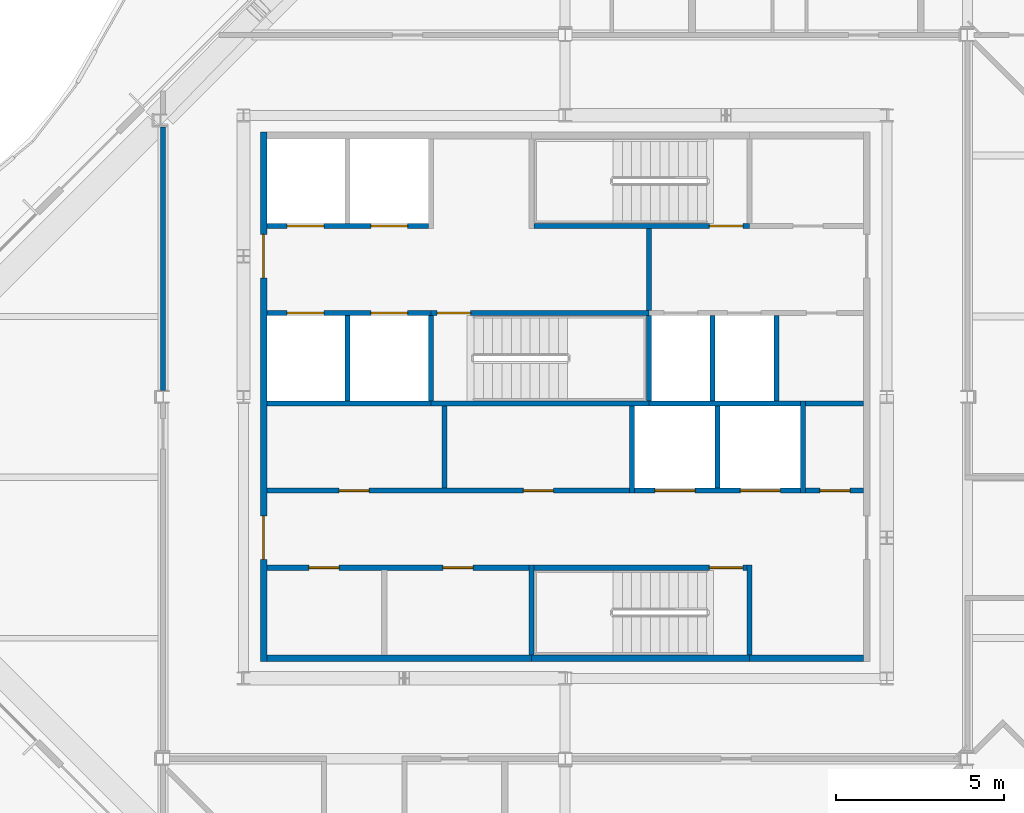
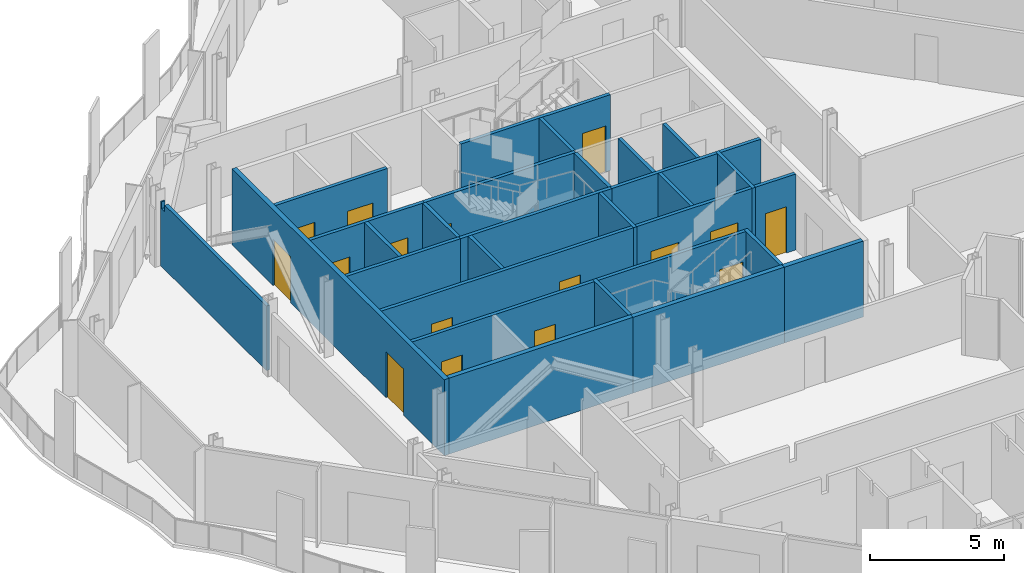
# One storey, part 8 of 17: 30 walls, 16 doors, 16 openings.
"""IFC4 building model written with IfcOpenShell, lengths in metres."""

from ifc_helpers import new_model, si_unit, direction, frame, frame_2d, origin, place, context, subcontext, project, spatial, polyline, rectangle, outline, extrude, material, layer, layer_set, type_object, element, fill, save


model = new_model("IFC4")

# Units and contexts
model_context = context("Model", 3, precision=1e-05, world=origin(), true_north=direction((0.0, 1.0)))
body_context = subcontext(model_context, "Body", "Model", "MODEL_VIEW")
ifc_project = project(units=[si_unit("LENGTHUNIT", "METRE"), si_unit("AREAUNIT", "SQUARE_METRE"), si_unit("VOLUMEUNIT", "CUBIC_METRE"), si_unit("PLANEANGLEUNIT", "RADIAN"), si_unit("MASSUNIT", "GRAM", prefix="KILO")], contexts=[model_context])

# Site, building, storey
site_placement = place(None, origin())
site = spatial("IfcSite", under=ifc_project, at=site_placement, CompositionType="ELEMENT")
building_placement = place(site_placement, origin())
building = spatial("IfcBuilding", under=site, at=building_placement, Name="Cairn Pilgrim Tower", CompositionType="ELEMENT")
storey_placement = place(building_placement, frame((0.0, 0.0, 270.60009765625)))
storey = spatial("IfcBuildingStorey", under=building, at=storey_placement, Name="L69", CompositionType="ELEMENT", Elevation=270.60009765625)

# Walls
ifc_material_1 = material(Name="Concrete C32/40", Category="concrete")
ifc_layer_1 = layer(ifc_material_1, 0.199951171875)
ifc_layer_set_1 = layer_set([ifc_layer_1], Name="CORE OUTER WALL 200 EI 120")
wall_type_1 = type_object("IfcWallType", Name="CORE OUTER WALL 200 EI 120", PredefinedType="SOLIDWALL", material=ifc_layer_set_1)
wall_1_placement = place(storey_placement, frame((-1.699951171875, -5.39990234375, 0.0), z_axis=(0.0, 0.0, 1.0), x_axis=(1.0, 0.0, 0.0)))
element("IfcWall", 1, at=wall_1_placement, inside=storey, type_object=wall_type_1, Name="CW:L69:H01-1", PredefinedType="SOLIDWALL", context=body_context, shape_type="SweptSolid", body=[
    extrude(rectangle(XDim=7.89990234375, YDim=0.199951171875, at=frame_2d((3.949951171875, 0.0))), origin(), (0.0, 0.0, 1.0), 3.449951171875),
])
wall_2_placement = place(storey_placement, frame((12.699951171875, -5.39990234375, 0.0), z_axis=(0.0, 0.0, 1.0), x_axis=(1.0, 0.0, 0.0)))
element("IfcWall", 2, at=wall_2_placement, inside=storey, type_object=wall_type_1, Name="CW:L69:H01-3", PredefinedType="SOLIDWALL", context=body_context, shape_type="SweptSolid", body=[
    extrude(rectangle(XDim=3.400146484375, YDim=0.199951171875, at=frame_2d((1.7001953125, 0.0))), origin(), (0.0, 0.0, 1.0), 3.449951171875),
])

# Wall, openings, doors
wall_3_placement = place(storey_placement, frame((-1.800048828125, -5.5, 0.0), z_axis=(0.0, 0.0, 1.0), x_axis=(0.0, 1.0, 0.0)))
wall_3 = element("IfcWall", 3, at=wall_3_placement, inside=storey, type_object=wall_type_1, Name="CW:L69:V13", PredefinedType="SOLIDWALL", context=body_context, shape_type="SweptSolid", body=[
    extrude(rectangle(XDim=15.800048828125, YDim=0.199951171875, at=frame_2d((7.89990234375, 0.0))), origin(), (0.0, 0.0, 1.0), 3.449951171875),
])
opening_1_placement = place(wall_3_placement, frame((3.050048828125, 0.0, 0.0)))
opening_1 = element("IfcOpeningElement", 4, at=opening_1_placement, cuts=wall_3, Name="Opening CD-W1", PredefinedType="OPENING", context=body_context, shape_type="SweptSolid", body=[
    extrude(rectangle(XDim=1.300048828125, YDim=2.10009765625, at=frame_2d((0.64990234375, 1.050048828125))), frame((0.0, 0.10986328125, 0.0), z_axis=(0.0, -1.0, 0.0), x_axis=(1.0, 0.0, 0.0)), (0.0, 0.0, 1.0), 0.219970703125),
])
opening_2_placement = place(wall_3_placement, frame((11.449951171875, 0.0, 0.0)))
opening_2 = element("IfcOpeningElement", 5, at=opening_2_placement, cuts=wall_3, Name="Opening CD-W2", PredefinedType="OPENING", context=body_context, shape_type="SweptSolid", body=[
    extrude(rectangle(XDim=1.300048828125, YDim=2.10009765625, at=frame_2d((0.64990234375, 1.050048828125))), frame((0.0, 0.10986328125, 0.0), z_axis=(0.0, -1.0, 0.0), x_axis=(1.0, 0.0, 0.0)), (0.0, 0.0, 1.0), 0.219970703125),
])
ifc_material_2 = material(Name="Painted steel", Category="steel")
door_type_1 = type_object("IfcDoorType", Name="CORE LOBBY DOOR 1300x2100", OperationType="DOUBLE_DOOR_SINGLE_SWING", PredefinedType="DOOR", material=ifc_material_2)
door_1_placement = place(opening_1_placement, origin())
door_1 = element("IfcDoor", 6, at=door_1_placement, inside=storey, type_object=door_type_1, Name="CD-W1", OperationType="DOUBLE_DOOR_SINGLE_SWING", OverallHeight=2.10009765625, OverallWidth=1.300048828125, PredefinedType="DOOR", context=body_context, shape_type="SweptSolid", body=[
    extrude(rectangle(XDim=1.300048828125, YDim=2.10009765625, at=frame_2d((0.64990234375, 1.050048828125))), frame((0.0, 0.02490234375, 0.0), z_axis=(0.0, -1.0, 0.0), x_axis=(1.0, 0.0, 0.0)), (0.0, 0.0, 1.0), 0.050048828125),
])
fill(opening_1, door_1)
door_2_placement = place(opening_2_placement, origin())
door_2 = element("IfcDoor", 7, at=door_2_placement, inside=storey, type_object=door_type_1, Name="CD-W2", OperationType="DOUBLE_DOOR_SINGLE_SWING", OverallHeight=2.10009765625, OverallWidth=1.300048828125, PredefinedType="DOOR", context=body_context, shape_type="SweptSolid", body=[
    extrude(rectangle(XDim=1.300048828125, YDim=2.10009765625, at=frame_2d((0.64990234375, 1.050048828125))), frame((0.0, 0.02490234375, 0.0), z_axis=(0.0, -1.0, 0.0), x_axis=(1.0, 0.0, 0.0)), (0.0, 0.0, 1.0), 0.050048828125),
])
fill(opening_2, door_2)

ifc_layer_2 = layer(ifc_material_1, 0.14990234375)
ifc_layer_set_2 = layer_set([ifc_layer_2], Name="CORE PARTITION 150 EI 60")
wall_type_2 = type_object("IfcWallType", Name="CORE PARTITION 150 EI 60", PredefinedType="PARTITIONING", material=ifc_layer_set_2)
wall_4_placement = place(storey_placement, frame((-1.699951171875, -2.699951171875, 0.0), z_axis=(0.0, 0.0, 1.0), x_axis=(1.0, 0.0, 0.0)))
wall_4 = element("IfcWall", 8, at=wall_4_placement, inside=storey, type_object=wall_type_2, Name="CW:L69:H02", PredefinedType="PARTITIONING", context=body_context, shape_type="SweptSolid", body=[
    extrude(rectangle(XDim=7.824951171875, YDim=0.14990234375, at=frame_2d((3.91259765625, 0.0))), origin(), (0.0, 0.0, 1.0), 3.449951171875),
])
opening_3_placement = place(wall_4_placement, frame((1.25, 0.0, 0.0)))
opening_3 = element("IfcOpeningElement", 9, at=opening_3_placement, cuts=wall_4, Name="Opening RD-R1W1", PredefinedType="OPENING", context=body_context, shape_type="SweptSolid", body=[
    extrude(rectangle(XDim=0.89990234375, YDim=2.10009765625, at=frame_2d((0.449951171875, 1.050048828125))), frame((0.0, 0.0849609375, 0.0), z_axis=(0.0, -1.0, 0.0), x_axis=(1.0, 0.0, 0.0)), (0.0, 0.0, 1.0), 0.169921875),
])
opening_4_placement = place(wall_4_placement, frame((5.25, 0.0, 0.0)))
opening_4 = element("IfcOpeningElement", 10, at=opening_4_placement, cuts=wall_4, Name="Opening RD-R1W2", PredefinedType="OPENING", context=body_context, shape_type="SweptSolid", body=[
    extrude(rectangle(XDim=0.89990234375, YDim=2.10009765625, at=frame_2d((0.449951171875, 1.050048828125))), frame((0.0, 0.0849609375, 0.0), z_axis=(0.0, -1.0, 0.0), x_axis=(1.0, 0.0, 0.0)), (0.0, 0.0, 1.0), 0.169921875),
])
door_type_2 = type_object("IfcDoorType", Name="SERVICE ROOM DOOR 900x2100", OperationType="SINGLE_SWING_LEFT", PredefinedType="DOOR", material=ifc_material_2)
door_3_placement = place(opening_3_placement, origin())
door_3 = element("IfcDoor", 11, at=door_3_placement, inside=storey, type_object=door_type_2, Name="RD-R1W1", OperationType="SINGLE_SWING_LEFT", OverallHeight=2.10009765625, OverallWidth=0.89990234375, PredefinedType="DOOR", context=body_context, shape_type="SweptSolid", body=[
    extrude(rectangle(XDim=0.89990234375, YDim=2.10009765625, at=frame_2d((0.449951171875, 1.050048828125))), frame((0.0, 0.02490234375, 0.0), z_axis=(0.0, -1.0, 0.0), x_axis=(1.0, 0.0, 0.0)), (0.0, 0.0, 1.0), 0.050048828125),
])
fill(opening_3, door_3)
door_4_placement = place(opening_4_placement, origin())
door_4 = element("IfcDoor", 12, at=door_4_placement, inside=storey, type_object=door_type_2, Name="RD-R1W2", OperationType="SINGLE_SWING_RIGHT", OverallHeight=2.10009765625, OverallWidth=0.89990234375, PredefinedType="DOOR", context=body_context, shape_type="SweptSolid", body=[
    extrude(rectangle(XDim=0.89990234375, YDim=2.10009765625, at=frame_2d((0.449951171875, 1.050048828125))), frame((0.0, 0.02490234375, 0.0), z_axis=(0.0, -1.0, 0.0), x_axis=(1.0, 0.0, 0.0)), (0.0, 0.0, 1.0), 0.050048828125),
])
fill(opening_4, door_4)

wall_5_placement = place(storey_placement, frame((-1.699951171875, -0.39990234375, 0.0), z_axis=(0.0, 0.0, 1.0), x_axis=(1.0, 0.0, 0.0)))
wall_5 = element("IfcWall", 13, at=wall_5_placement, inside=storey, type_object=wall_type_2, Name="CW:L69:H04", PredefinedType="PARTITIONING", context=body_context, shape_type="SweptSolid", body=[
    extrude(rectangle(XDim=10.824951171875, YDim=0.14990234375, at=frame_2d((5.41259765625, 0.0))), origin(), (0.0, 0.0, 1.0), 3.449951171875),
])
opening_5_placement = place(wall_5_placement, frame((2.14990234375, 0.0, 0.0)))
opening_5 = element("IfcOpeningElement", 14, at=opening_5_placement, cuts=wall_5, Name="Opening RD-R2W1", PredefinedType="OPENING", context=body_context, shape_type="SweptSolid", body=[
    extrude(rectangle(XDim=0.89990234375, YDim=2.10009765625, at=frame_2d((0.449951171875, 1.050048828125))), frame((0.0, 0.0849609375, 0.0), z_axis=(0.0, -1.0, 0.0), x_axis=(1.0, 0.0, 0.0)), (0.0, 0.0, 1.0), 0.169921875),
])
opening_6_placement = place(wall_5_placement, frame((7.64990234375, 0.0, 0.0)))
opening_6 = element("IfcOpeningElement", 15, at=opening_6_placement, cuts=wall_5, Name="Opening RD-R2W2", PredefinedType="OPENING", context=body_context, shape_type="SweptSolid", body=[
    extrude(rectangle(XDim=0.89990234375, YDim=2.10009765625, at=frame_2d((0.449951171875, 1.050048828125))), frame((0.0, 0.0849609375, 0.0), z_axis=(0.0, -1.0, 0.0), x_axis=(1.0, 0.0, 0.0)), (0.0, 0.0, 1.0), 0.169921875),
])
door_5_placement = place(opening_5_placement, origin())
door_5 = element("IfcDoor", 16, at=door_5_placement, inside=storey, type_object=door_type_2, Name="RD-R2W1", OperationType="SINGLE_SWING_LEFT", OverallHeight=2.10009765625, OverallWidth=0.89990234375, PredefinedType="DOOR", context=body_context, shape_type="SweptSolid", body=[
    extrude(rectangle(XDim=0.89990234375, YDim=2.10009765625, at=frame_2d((0.449951171875, 1.050048828125))), frame((0.0, 0.02490234375, 0.0), z_axis=(0.0, -1.0, 0.0), x_axis=(1.0, 0.0, 0.0)), (0.0, 0.0, 1.0), 0.050048828125),
])
fill(opening_5, door_5)
door_6_placement = place(opening_6_placement, origin())
door_6 = element("IfcDoor", 17, at=door_6_placement, inside=storey, type_object=door_type_2, Name="RD-R2W2", OperationType="SINGLE_SWING_RIGHT", OverallHeight=2.10009765625, OverallWidth=0.89990234375, PredefinedType="DOOR", context=body_context, shape_type="SweptSolid", body=[
    extrude(rectangle(XDim=0.89990234375, YDim=2.10009765625, at=frame_2d((0.449951171875, 1.050048828125))), frame((0.0, 0.02490234375, 0.0), z_axis=(0.0, -1.0, 0.0), x_axis=(1.0, 0.0, 0.0)), (0.0, 0.0, 1.0), 0.050048828125),
])
fill(opening_6, door_6)

# Wall, opening, door
wall_6_placement = place(storey_placement, frame((14.375, -0.39990234375, 0.0), z_axis=(0.0, 0.0, 1.0), x_axis=(1.0, 0.0, 0.0)))
wall_6 = element("IfcWall", 18, at=wall_6_placement, inside=storey, type_object=wall_type_2, Name="CW:L69:H06", PredefinedType="PARTITIONING", context=body_context, shape_type="SweptSolid", body=[
    extrude(rectangle(XDim=1.72509765625, YDim=0.14990234375, at=frame_2d((0.862548828125, 0.0))), origin(), (0.0, 0.0, 1.0), 3.449951171875),
])
opening_7_placement = place(wall_6_placement, frame((0.425048828125, 0.0, 0.0)))
opening_7 = element("IfcOpeningElement", 19, at=opening_7_placement, cuts=wall_6, Name="Opening RD-R2E", PredefinedType="OPENING", context=body_context, shape_type="SweptSolid", body=[
    extrude(rectangle(XDim=0.89990234375, YDim=2.10009765625, at=frame_2d((0.449951171875, 1.050048828125))), frame((0.0, 0.0849609375, 0.0), z_axis=(0.0, -1.0, 0.0), x_axis=(1.0, 0.0, 0.0)), (0.0, 0.0, 1.0), 0.169921875),
])
door_7_placement = place(opening_7_placement, origin())
door_7 = element("IfcDoor", 20, at=door_7_placement, inside=storey, type_object=door_type_2, Name="RD-R2E", OperationType="SINGLE_SWING_RIGHT", OverallHeight=2.10009765625, OverallWidth=0.89990234375, PredefinedType="DOOR", context=body_context, shape_type="SweptSolid", body=[
    extrude(rectangle(XDim=0.89990234375, YDim=2.10009765625, at=frame_2d((0.449951171875, 1.050048828125))), frame((0.0, 0.02490234375, 0.0), z_axis=(0.0, -1.0, 0.0), x_axis=(1.0, 0.0, 0.0)), (0.0, 0.0, 1.0), 0.050048828125),
])
fill(opening_7, door_7)

# Walls
wall_7_placement = place(storey_placement, frame((14.375, 2.199951171875, 0.0), z_axis=(0.0, 0.0, 1.0), x_axis=(1.0, 0.0, 0.0)))
element("IfcWall", 21, at=wall_7_placement, inside=storey, type_object=wall_type_2, Name="CW:L69:H08", PredefinedType="PARTITIONING", context=body_context, shape_type="SweptSolid", body=[
    extrude(rectangle(XDim=1.72509765625, YDim=0.14990234375, at=frame_2d((0.862548828125, 0.0))), origin(), (0.0, 0.0, 1.0), 3.449951171875),
])
wall_8_placement = place(storey_placement, frame((3.60009765625, -0.324951171875, 0.0), z_axis=(0.0, 0.0, 1.0), x_axis=(0.0, 1.0, 0.0)))
element("IfcWall", 22, at=wall_8_placement, inside=storey, type_object=wall_type_2, Name="CW:L69:V19", PredefinedType="PARTITIONING", context=body_context, shape_type="SweptSolid", body=[
    extrude(rectangle(XDim=2.449951171875, YDim=0.14990234375, at=frame_2d((1.22509765625, 0.0))), origin(), (0.0, 0.0, 1.0), 3.449951171875),
])

# Wall, openings, doors
ifc_layer_3 = layer(ifc_material_1, 0.14990234375)
ifc_layer_set_3 = layer_set([ifc_layer_3], Name="CORE SHAFT WALL 150 EI 120")
wall_type_3 = type_object("IfcWallType", Name="CORE SHAFT WALL 150 EI 120", PredefinedType="SOLIDWALL", material=ifc_layer_set_3)
wall_9_placement = place(storey_placement, frame((9.27490234375, -0.39990234375, 0.0), z_axis=(0.0, 0.0, 1.0), x_axis=(1.0, 0.0, 0.0)))
wall_9 = element("IfcWall", 23, at=wall_9_placement, inside=storey, type_object=wall_type_3, Name="CW:L69:H05", PredefinedType="SOLIDWALL", context=body_context, shape_type="SweptSolid", body=[
    extrude(rectangle(XDim=4.9501953125, YDim=0.14990234375, at=frame_2d((2.47509765625, 0.0))), origin(), (0.0, 0.0, 1.0), 3.449951171875),
])
opening_8_placement = place(wall_9_placement, frame((0.60009765625, 0.0, 0.0)))
opening_8 = element("IfcOpeningElement", 24, at=opening_8_placement, cuts=wall_9, Name="Opening LD-SV1", PredefinedType="OPENING", context=body_context, shape_type="SweptSolid", body=[
    extrude(rectangle(XDim=1.199951171875, YDim=2.10009765625, at=frame_2d((0.60009765625, 1.050048828125))), frame((0.0, 0.0849609375, 0.0), z_axis=(0.0, -1.0, 0.0), x_axis=(1.0, 0.0, 0.0)), (0.0, 0.0, 1.0), 0.169921875),
])
opening_9_placement = place(wall_9_placement, frame((3.14990234375, 0.0, 0.0)))
opening_9 = element("IfcOpeningElement", 25, at=opening_9_placement, cuts=wall_9, Name="Opening LD-SV2", PredefinedType="OPENING", context=body_context, shape_type="SweptSolid", body=[
    extrude(rectangle(XDim=1.199951171875, YDim=2.10009765625, at=frame_2d((0.60009765625, 1.050048828125))), frame((0.0, 0.0849609375, 0.0), z_axis=(0.0, -1.0, 0.0), x_axis=(1.0, 0.0, 0.0)), (0.0, 0.0, 1.0), 0.169921875),
])
ifc_material_3 = material(Name="Stainless steel", Category="steel")
door_type_3 = type_object("IfcDoorType", Name="LIFT LANDING DOOR 1200x2100", OperationType="DOUBLE_DOOR_SLIDING", PredefinedType="DOOR", material=ifc_material_3)
door_8_placement = place(opening_8_placement, origin())
door_8 = element("IfcDoor", 26, at=door_8_placement, inside=storey, type_object=door_type_3, Name="LANDING DOOR SV1", OperationType="DOUBLE_DOOR_SLIDING", OverallHeight=2.10009765625, OverallWidth=1.199951171875, PredefinedType="DOOR", context=body_context, shape_type="SweptSolid", body=[
    extrude(rectangle(XDim=1.199951171875, YDim=2.10009765625, at=frame_2d((0.60009765625, 1.050048828125))), frame((0.0, 0.02490234375, 0.0), z_axis=(0.0, -1.0, 0.0), x_axis=(1.0, 0.0, 0.0)), (0.0, 0.0, 1.0), 0.050048828125),
])
fill(opening_8, door_8)
door_9_placement = place(opening_9_placement, origin())
door_9 = element("IfcDoor", 27, at=door_9_placement, inside=storey, type_object=door_type_3, Name="LANDING DOOR SV2", OperationType="DOUBLE_DOOR_SLIDING", OverallHeight=2.10009765625, OverallWidth=1.199951171875, PredefinedType="DOOR", context=body_context, shape_type="SweptSolid", body=[
    extrude(rectangle(XDim=1.199951171875, YDim=2.10009765625, at=frame_2d((0.60009765625, 1.050048828125))), frame((0.0, 0.02490234375, 0.0), z_axis=(0.0, -1.0, 0.0), x_axis=(1.0, 0.0, 0.0)), (0.0, 0.0, 1.0), 0.050048828125),
])
fill(opening_9, door_9)

# Walls
wall_10_placement = place(storey_placement, frame((-1.699951171875, 2.199951171875, 0.0), z_axis=(0.0, 0.0, 1.0), x_axis=(1.0, 0.0, 0.0)))
element("IfcWall", 28, at=wall_10_placement, inside=storey, type_object=wall_type_3, Name="CW:L69:H07-1", PredefinedType="SOLIDWALL", context=body_context, shape_type="SweptSolid", body=[
    extrude(rectangle(XDim=4.89990234375, YDim=0.14990234375, at=frame_2d((2.449951171875, 0.0))), origin(), (0.0, 0.0, 1.0), 3.449951171875),
])
wall_11_placement = place(storey_placement, frame((9.699951171875, 2.199951171875, 0.0), z_axis=(0.0, 0.0, 1.0), x_axis=(1.0, 0.0, 0.0)))
element("IfcWall", 29, at=wall_11_placement, inside=storey, type_object=wall_type_3, Name="CW:L69:H07-3", PredefinedType="SOLIDWALL", context=body_context, shape_type="SweptSolid", body=[
    extrude(rectangle(XDim=4.525146484375, YDim=0.14990234375, at=frame_2d((2.2626953125, 0.0))), origin(), (0.0, 0.0, 1.0), 3.449951171875),
])

# Wall, openings, doors
wall_12_placement = place(storey_placement, frame((-1.699951171875, 4.89990234375, 0.0), z_axis=(0.0, 0.0, 1.0), x_axis=(1.0, 0.0, 0.0)))
wall_12 = element("IfcWall", 30, at=wall_12_placement, inside=storey, type_object=wall_type_3, Name="CW:L69:H09-1", PredefinedType="SOLIDWALL", context=body_context, shape_type="SweptSolid", body=[
    extrude(rectangle(XDim=4.89990234375, YDim=0.14990234375, at=frame_2d((2.449951171875, 0.0))), origin(), (0.0, 0.0, 1.0), 3.449951171875),
])
opening_10_placement = place(wall_12_placement, frame((0.60009765625, 0.0, 0.0)))
opening_10 = element("IfcOpeningElement", 31, at=opening_10_placement, cuts=wall_12, Name="Opening LD-HR1", PredefinedType="OPENING", context=body_context, shape_type="SweptSolid", body=[
    extrude(rectangle(XDim=1.10009765625, YDim=2.10009765625, at=frame_2d((0.550048828125, 1.050048828125))), frame((0.0, 0.0849609375, 0.0), z_axis=(0.0, -1.0, 0.0), x_axis=(1.0, 0.0, 0.0)), (0.0, 0.0, 1.0), 0.169921875),
])
opening_11_placement = place(wall_12_placement, frame((3.10009765625, 0.0, 0.0)))
opening_11 = element("IfcOpeningElement", 32, at=opening_11_placement, cuts=wall_12, Name="Opening LD-HR2", PredefinedType="OPENING", context=body_context, shape_type="SweptSolid", body=[
    extrude(rectangle(XDim=1.10009765625, YDim=2.10009765625, at=frame_2d((0.550048828125, 1.050048828125))), frame((0.0, 0.0849609375, 0.0), z_axis=(0.0, -1.0, 0.0), x_axis=(1.0, 0.0, 0.0)), (0.0, 0.0, 1.0), 0.169921875),
])
door_type_4 = type_object("IfcDoorType", Name="LIFT LANDING DOOR 1100x2100", OperationType="DOUBLE_DOOR_SLIDING", PredefinedType="DOOR", material=ifc_material_3)
door_10_placement = place(opening_10_placement, origin())
door_10 = element("IfcDoor", 33, at=door_10_placement, inside=storey, type_object=door_type_4, Name="LANDING DOOR HR1", OperationType="DOUBLE_DOOR_SLIDING", OverallHeight=2.10009765625, OverallWidth=1.10009765625, PredefinedType="DOOR", context=body_context, shape_type="SweptSolid", body=[
    extrude(rectangle(XDim=1.10009765625, YDim=2.10009765625, at=frame_2d((0.550048828125, 1.050048828125))), frame((0.0, 0.02490234375, 0.0), z_axis=(0.0, -1.0, 0.0), x_axis=(1.0, 0.0, 0.0)), (0.0, 0.0, 1.0), 0.050048828125),
])
fill(opening_10, door_10)
door_11_placement = place(opening_11_placement, origin())
door_11 = element("IfcDoor", 34, at=door_11_placement, inside=storey, type_object=door_type_4, Name="LANDING DOOR HR2", OperationType="DOUBLE_DOOR_SLIDING", OverallHeight=2.10009765625, OverallWidth=1.10009765625, PredefinedType="DOOR", context=body_context, shape_type="SweptSolid", body=[
    extrude(rectangle(XDim=1.10009765625, YDim=2.10009765625, at=frame_2d((0.550048828125, 1.050048828125))), frame((0.0, 0.02490234375, 0.0), z_axis=(0.0, -1.0, 0.0), x_axis=(1.0, 0.0, 0.0)), (0.0, 0.0, 1.0), 0.050048828125),
])
fill(opening_11, door_11)

wall_13_placement = place(storey_placement, frame((-1.699951171875, 7.5, 0.0), z_axis=(0.0, 0.0, 1.0), x_axis=(1.0, 0.0, 0.0)))
wall_13 = element("IfcWall", 35, at=wall_13_placement, inside=storey, type_object=wall_type_3, Name="CW:L69:H10", PredefinedType="SOLIDWALL", context=body_context, shape_type="SweptSolid", body=[
    extrude(rectangle(XDim=4.824951171875, YDim=0.14990234375, at=frame_2d((2.41259765625, 0.0))), origin(), (0.0, 0.0, 1.0), 3.449951171875),
])
opening_12_placement = place(wall_13_placement, frame((0.60009765625, 0.0, 0.0)))
opening_12 = element("IfcOpeningElement", 36, at=opening_12_placement, cuts=wall_13, Name="Opening LD-HR3", PredefinedType="OPENING", context=body_context, shape_type="SweptSolid", body=[
    extrude(rectangle(XDim=1.10009765625, YDim=2.10009765625, at=frame_2d((0.550048828125, 1.050048828125))), frame((0.0, 0.0849609375, 0.0), z_axis=(0.0, -1.0, 0.0), x_axis=(1.0, 0.0, 0.0)), (0.0, 0.0, 1.0), 0.169921875),
])
opening_13_placement = place(wall_13_placement, frame((3.10009765625, 0.0, 0.0)))
opening_13 = element("IfcOpeningElement", 37, at=opening_13_placement, cuts=wall_13, Name="Opening LD-HR4", PredefinedType="OPENING", context=body_context, shape_type="SweptSolid", body=[
    extrude(rectangle(XDim=1.10009765625, YDim=2.10009765625, at=frame_2d((0.550048828125, 1.050048828125))), frame((0.0, 0.0849609375, 0.0), z_axis=(0.0, -1.0, 0.0), x_axis=(1.0, 0.0, 0.0)), (0.0, 0.0, 1.0), 0.169921875),
])
door_12_placement = place(opening_12_placement, origin())
door_12 = element("IfcDoor", 38, at=door_12_placement, inside=storey, type_object=door_type_4, Name="LANDING DOOR HR3", OperationType="DOUBLE_DOOR_SLIDING", OverallHeight=2.10009765625, OverallWidth=1.10009765625, PredefinedType="DOOR", context=body_context, shape_type="SweptSolid", body=[
    extrude(rectangle(XDim=1.10009765625, YDim=2.10009765625, at=frame_2d((0.550048828125, 1.050048828125))), frame((0.0, 0.02490234375, 0.0), z_axis=(0.0, -1.0, 0.0), x_axis=(1.0, 0.0, 0.0)), (0.0, 0.0, 1.0), 0.050048828125),
])
fill(opening_12, door_12)
door_13_placement = place(opening_13_placement, origin())
door_13 = element("IfcDoor", 39, at=door_13_placement, inside=storey, type_object=door_type_4, Name="LANDING DOOR HR4", OperationType="DOUBLE_DOOR_SLIDING", OverallHeight=2.10009765625, OverallWidth=1.10009765625, PredefinedType="DOOR", context=body_context, shape_type="SweptSolid", body=[
    extrude(rectangle(XDim=1.10009765625, YDim=2.10009765625, at=frame_2d((0.550048828125, 1.050048828125))), frame((0.0, 0.02490234375, 0.0), z_axis=(0.0, -1.0, 0.0), x_axis=(1.0, 0.0, 0.0)), (0.0, 0.0, 1.0), 0.050048828125),
])
fill(opening_13, door_13)

# Walls
wall_14_placement = place(storey_placement, frame((0.699951171875, 2.27490234375, 0.0), z_axis=(0.0, 0.0, 1.0), x_axis=(0.0, 1.0, 0.0)))
element("IfcWall", 40, at=wall_14_placement, inside=storey, type_object=wall_type_3, Name="CW:L69:V14", PredefinedType="SOLIDWALL", context=body_context, shape_type="SweptSolid", body=[
    extrude(rectangle(XDim=2.550048828125, YDim=0.14990234375, at=frame_2d((1.27490234375, 0.0))), origin(), (0.0, 0.0, 1.0), 3.449951171875),
])
wall_15_placement = place(storey_placement, frame((9.199951171875, -0.47509765625, 0.0), z_axis=(0.0, 0.0, 1.0), x_axis=(0.0, 1.0, 0.0)))
element("IfcWall", 41, at=wall_15_placement, inside=storey, type_object=wall_type_3, Name="CW:L69:V22", PredefinedType="SOLIDWALL", context=body_context, shape_type="SweptSolid", body=[
    extrude(rectangle(XDim=2.60009765625, YDim=0.14990234375, at=frame_2d((1.300048828125, 0.0))), origin(), (0.0, 0.0, 1.0), 3.449951171875),
])
wall_16_placement = place(storey_placement, frame((9.699951171875, 4.97509765625, 0.0), z_axis=(0.0, 0.0, 1.0), x_axis=(0.0, 1.0, 0.0)))
element("IfcWall", 42, at=wall_16_placement, inside=storey, type_object=wall_type_3, Name="CW:L69:V24", PredefinedType="SOLIDWALL", context=body_context, shape_type="SweptSolid", body=[
    extrude(rectangle(XDim=2.449951171875, YDim=0.14990234375, at=frame_2d((1.22509765625, 0.0))), origin(), (0.0, 0.0, 1.0), 3.449951171875),
])
wall_17_placement = place(storey_placement, frame((11.60009765625, 2.27490234375, 0.0), z_axis=(0.0, 0.0, 1.0), x_axis=(0.0, 1.0, 0.0)))
element("IfcWall", 43, at=wall_17_placement, inside=storey, type_object=wall_type_3, Name="CW:L69:V25", PredefinedType="SOLIDWALL", context=body_context, shape_type="SweptSolid", body=[
    extrude(rectangle(XDim=2.550048828125, YDim=0.14990234375, at=frame_2d((1.27490234375, 0.0))), origin(), (0.0, 0.0, 1.0), 3.449951171875),
])
wall_18_placement = place(storey_placement, frame((11.75, -0.324951171875, 0.0), z_axis=(0.0, 0.0, 1.0), x_axis=(0.0, 1.0, 0.0)))
element("IfcWall", 44, at=wall_18_placement, inside=storey, type_object=wall_type_3, Name="CW:L69:V26", PredefinedType="SOLIDWALL", context=body_context, shape_type="SweptSolid", body=[
    extrude(rectangle(XDim=2.449951171875, YDim=0.14990234375, at=frame_2d((1.22509765625, 0.0))), origin(), (0.0, 0.0, 1.0), 3.449951171875),
])
wall_19_placement = place(storey_placement, frame((13.5, 2.27490234375, 0.0), z_axis=(0.0, 0.0, 1.0), x_axis=(0.0, 1.0, 0.0)))
element("IfcWall", 45, at=wall_19_placement, inside=storey, type_object=wall_type_3, Name="CW:L69:V29", PredefinedType="SOLIDWALL", context=body_context, shape_type="SweptSolid", body=[
    extrude(rectangle(XDim=2.550048828125, YDim=0.14990234375, at=frame_2d((1.27490234375, 0.0))), origin(), (0.0, 0.0, 1.0), 3.449951171875),
])
wall_20_placement = place(storey_placement, frame((14.300048828125, -0.47509765625, 0.0), z_axis=(0.0, 0.0, 1.0), x_axis=(0.0, 1.0, 0.0)))
element("IfcWall", 46, at=wall_20_placement, inside=storey, type_object=wall_type_3, Name="CW:L69:V30", PredefinedType="SOLIDWALL", context=body_context, shape_type="SweptSolid", body=[
    extrude(rectangle(XDim=2.75, YDim=0.14990234375, at=frame_2d((1.375, 0.0))), origin(), (0.0, 0.0, 1.0), 3.449951171875),
])
ifc_material_4 = material(Name="Gypsum partition")
ifc_layer_4 = layer(ifc_material_4, 0.14990234375)
ifc_layer_set_4 = layer_set([ifc_layer_4], Name="PARTITION 150 DRYWALL EI 60")
wall_type_4 = type_object("IfcWallType", Name="PARTITION 150 DRYWALL EI 60", PredefinedType="PARTITIONING", material=ifc_layer_set_4)
wall_21_placement = place(storey_placement, frame((-4.800048828125, 2.58740234375, 0.0), z_axis=(0.0, 0.0, 1.0), x_axis=(0.0, 1.0, 0.0)))
element("IfcWall", 47, at=wall_21_placement, inside=storey, type_object=wall_type_4, Name="PARTITION W054", PredefinedType="PARTITIONING", context=body_context, shape_type="SweptSolid", body=[
    extrude(outline(polyline([(0.0, 0.0), (7.86767578125, 0.0), (7.867431640625, 2.929931640625), (7.809326171875, 2.929931640625), (7.807373046875, 2.6298828125), (7.569580078125, 2.6298828125), (7.567626953125, 2.929931640625), (0.0, 2.929931640625), (0.0, 0.0)])), frame((0.0, 0.074951171875, 0.0), z_axis=(0.0, -1.0, 0.0), x_axis=(1.0, 0.0, 0.0)), (0.0, 0.0, 1.0), 0.14990234375),
])

# Wall, opening, door
ifc_material_5 = material(Name="Concrete C35/45", Category="concrete")
ifc_layer_5 = layer(ifc_material_5, 0.14990234375)
ifc_layer_set_5 = layer_set([ifc_layer_5], Name="STAIR SHAFT WALL 150 EI 120")
wall_type_5 = type_object("IfcWallType", Name="STAIR SHAFT WALL 150 EI 120", PredefinedType="SOLIDWALL", material=ifc_layer_set_5)
wall_22_placement = place(storey_placement, frame((6.27490234375, -2.699951171875, 0.0), z_axis=(0.0, 0.0, 1.0), x_axis=(1.0, 0.0, 0.0)))
wall_22 = element("IfcWall", 48, at=wall_22_placement, inside=storey, type_object=wall_type_5, Name="CW:L69:H03", PredefinedType="SOLIDWALL", context=body_context, shape_type="SweptSolid", body=[
    extrude(rectangle(XDim=6.35009765625, YDim=0.14990234375, at=frame_2d((3.175048828125, 0.0))), origin(), (0.0, 0.0, 1.0), 3.449951171875),
])
opening_14_placement = place(wall_22_placement, frame((5.22509765625, 0.0, 0.0)))
opening_14 = element("IfcOpeningElement", 49, at=opening_14_placement, cuts=wall_22, Name="Opening SD-A", PredefinedType="OPENING", context=body_context, shape_type="SweptSolid", body=[
    extrude(rectangle(XDim=1.0, YDim=2.10009765625, at=frame_2d((0.5, 1.050048828125))), frame((0.0, 0.0849609375, 0.0), z_axis=(0.0, -1.0, 0.0), x_axis=(1.0, 0.0, 0.0)), (0.0, 0.0, 1.0), 0.169921875),
])
door_type_5 = type_object("IfcDoorType", Name="STAIR DOOR FD60S 1000x2100", OperationType="SINGLE_SWING_LEFT", PredefinedType="DOOR", material=ifc_material_2)
door_14_placement = place(opening_14_placement, origin())
door_14 = element("IfcDoor", 50, at=door_14_placement, inside=storey, type_object=door_type_5, Name="SD-A", OperationType="SINGLE_SWING_LEFT", OverallHeight=2.10009765625, OverallWidth=1.0, PredefinedType="DOOR", context=body_context, shape_type="SweptSolid", body=[
    extrude(rectangle(XDim=1.0, YDim=2.10009765625, at=frame_2d((0.5, 1.050048828125))), frame((0.0, 0.02490234375, 0.0), z_axis=(0.0, -1.0, 0.0), x_axis=(1.0, 0.0, 0.0)), (0.0, 0.0, 1.0), 0.050048828125),
])
fill(opening_14, door_14)

# Wall
wall_23_placement = place(storey_placement, frame((3.199951171875, 2.199951171875, 0.0), z_axis=(0.0, 0.0, 1.0), x_axis=(1.0, 0.0, 0.0)))
element("IfcWall", 51, at=wall_23_placement, inside=storey, type_object=wall_type_5, Name="CW:L69:H07-2", PredefinedType="SOLIDWALL", context=body_context, shape_type="SweptSolid", body=[
    extrude(rectangle(XDim=6.5, YDim=0.14990234375, at=frame_2d((3.25, 0.0))), origin(), (0.0, 0.0, 1.0), 3.449951171875),
])

# Wall, opening, door
wall_24_placement = place(storey_placement, frame((3.199951171875, 4.89990234375, 0.0), z_axis=(0.0, 0.0, 1.0), x_axis=(1.0, 0.0, 0.0)))
wall_24 = element("IfcWall", 52, at=wall_24_placement, inside=storey, type_object=wall_type_5, Name="CW:L69:H09-2", PredefinedType="SOLIDWALL", context=body_context, shape_type="SweptSolid", body=[
    extrude(rectangle(XDim=6.5, YDim=0.14990234375, at=frame_2d((3.25, 0.0))), origin(), (0.0, 0.0, 1.0), 3.449951171875),
])
opening_15_placement = place(wall_24_placement, frame((0.175048828125, 0.0, 0.0)))
opening_15 = element("IfcOpeningElement", 53, at=opening_15_placement, cuts=wall_24, Name="Opening SD-B", PredefinedType="OPENING", context=body_context, shape_type="SweptSolid", body=[
    extrude(rectangle(XDim=1.0, YDim=2.10009765625, at=frame_2d((0.5, 1.050048828125))), frame((0.0, 0.0849609375, 0.0), z_axis=(0.0, -1.0, 0.0), x_axis=(1.0, 0.0, 0.0)), (0.0, 0.0, 1.0), 0.169921875),
])
door_15_placement = place(opening_15_placement, origin())
door_15 = element("IfcDoor", 54, at=door_15_placement, inside=storey, type_object=door_type_5, Name="SD-B", OperationType="SINGLE_SWING_RIGHT", OverallHeight=2.10009765625, OverallWidth=1.0, PredefinedType="DOOR", context=body_context, shape_type="SweptSolid", body=[
    extrude(rectangle(XDim=1.0, YDim=2.10009765625, at=frame_2d((0.5, 1.050048828125))), frame((0.0, 0.02490234375, 0.0), z_axis=(0.0, -1.0, 0.0), x_axis=(1.0, 0.0, 0.0)), (0.0, 0.0, 1.0), 0.050048828125),
])
fill(opening_15, door_15)

wall_25_placement = place(storey_placement, frame((6.27490234375, 7.5, 0.0), z_axis=(0.0, 0.0, 1.0), x_axis=(1.0, 0.0, 0.0)))
wall_25 = element("IfcWall", 55, at=wall_25_placement, inside=storey, type_object=wall_type_5, Name="CW:L69:H11-1", PredefinedType="SOLIDWALL", context=body_context, shape_type="SweptSolid", body=[
    extrude(rectangle(XDim=6.425048828125, YDim=0.14990234375, at=frame_2d((3.21240234375, 0.0))), origin(), (0.0, 0.0, 1.0), 3.449951171875),
])
opening_16_placement = place(wall_25_placement, frame((5.22509765625, 0.0, 0.0)))
opening_16 = element("IfcOpeningElement", 56, at=opening_16_placement, cuts=wall_25, Name="Opening SD-C", PredefinedType="OPENING", context=body_context, shape_type="SweptSolid", body=[
    extrude(rectangle(XDim=1.0, YDim=2.10009765625, at=frame_2d((0.5, 1.050048828125))), frame((0.0, 0.0849609375, 0.0), z_axis=(0.0, -1.0, 0.0), x_axis=(1.0, 0.0, 0.0)), (0.0, 0.0, 1.0), 0.169921875),
])
door_16_placement = place(opening_16_placement, origin())
door_16 = element("IfcDoor", 57, at=door_16_placement, inside=storey, type_object=door_type_5, Name="SD-C", OperationType="SINGLE_SWING_LEFT", OverallHeight=2.10009765625, OverallWidth=1.0, PredefinedType="DOOR", context=body_context, shape_type="SweptSolid", body=[
    extrude(rectangle(XDim=1.0, YDim=2.10009765625, at=frame_2d((0.5, 1.050048828125))), frame((0.0, 0.02490234375, 0.0), z_axis=(0.0, -1.0, 0.0), x_axis=(1.0, 0.0, 0.0)), (0.0, 0.0, 1.0), 0.050048828125),
])
fill(opening_16, door_16)

# Walls
wall_26_placement = place(storey_placement, frame((3.199951171875, 2.27490234375, 0.0), z_axis=(0.0, 0.0, 1.0), x_axis=(0.0, 1.0, 0.0)))
element("IfcWall", 58, at=wall_26_placement, inside=storey, type_object=wall_type_5, Name="CW:L69:V17", PredefinedType="SOLIDWALL", context=body_context, shape_type="SweptSolid", body=[
    extrude(rectangle(XDim=2.550048828125, YDim=0.14990234375, at=frame_2d((1.27490234375, 0.0))), origin(), (0.0, 0.0, 1.0), 3.449951171875),
])
wall_27_placement = place(storey_placement, frame((6.199951171875, -5.300048828125, 0.0), z_axis=(0.0, 0.0, 1.0), x_axis=(0.0, 1.0, 0.0)))
element("IfcWall", 59, at=wall_27_placement, inside=storey, type_object=wall_type_5, Name="CW:L69:V20", PredefinedType="SOLIDWALL", context=body_context, shape_type="SweptSolid", body=[
    extrude(rectangle(XDim=2.675048828125, YDim=0.14990234375, at=frame_2d((1.33740234375, 0.0))), origin(), (0.0, 0.0, 1.0), 3.449951171875),
])
wall_28_placement = place(storey_placement, frame((9.699951171875, 2.27490234375, 0.0), z_axis=(0.0, 0.0, 1.0), x_axis=(0.0, 1.0, 0.0)))
element("IfcWall", 60, at=wall_28_placement, inside=storey, type_object=wall_type_5, Name="CW:L69:V23", PredefinedType="SOLIDWALL", context=body_context, shape_type="SweptSolid", body=[
    extrude(rectangle(XDim=2.550048828125, YDim=0.14990234375, at=frame_2d((1.27490234375, 0.0))), origin(), (0.0, 0.0, 1.0), 3.449951171875),
])
wall_29_placement = place(storey_placement, frame((12.699951171875, -5.300048828125, 0.0), z_axis=(0.0, 0.0, 1.0), x_axis=(0.0, 1.0, 0.0)))
element("IfcWall", 61, at=wall_29_placement, inside=storey, type_object=wall_type_5, Name="CW:L69:V27", PredefinedType="SOLIDWALL", context=body_context, shape_type="SweptSolid", body=[
    extrude(rectangle(XDim=2.675048828125, YDim=0.14990234375, at=frame_2d((1.33740234375, 0.0))), origin(), (0.0, 0.0, 1.0), 3.449951171875),
])
ifc_layer_6 = layer(ifc_material_5, 0.199951171875)
ifc_layer_set_6 = layer_set([ifc_layer_6], Name="STAIR SHAFT WALL 200 EI 120")
wall_type_6 = type_object("IfcWallType", Name="STAIR SHAFT WALL 200 EI 120", PredefinedType="SOLIDWALL", material=ifc_layer_set_6)
wall_30_placement = place(storey_placement, frame((6.199951171875, -5.39990234375, 0.0), z_axis=(0.0, 0.0, 1.0), x_axis=(1.0, 0.0, 0.0)))
element("IfcWall", 62, at=wall_30_placement, inside=storey, type_object=wall_type_6, Name="CW:L69:H01-2", PredefinedType="SOLIDWALL", context=body_context, shape_type="SweptSolid", body=[
    extrude(rectangle(XDim=6.5, YDim=0.199951171875, at=frame_2d((3.25, 0.0))), origin(), (0.0, 0.0, 1.0), 3.449951171875),
])

save(model, "model.ifc")
